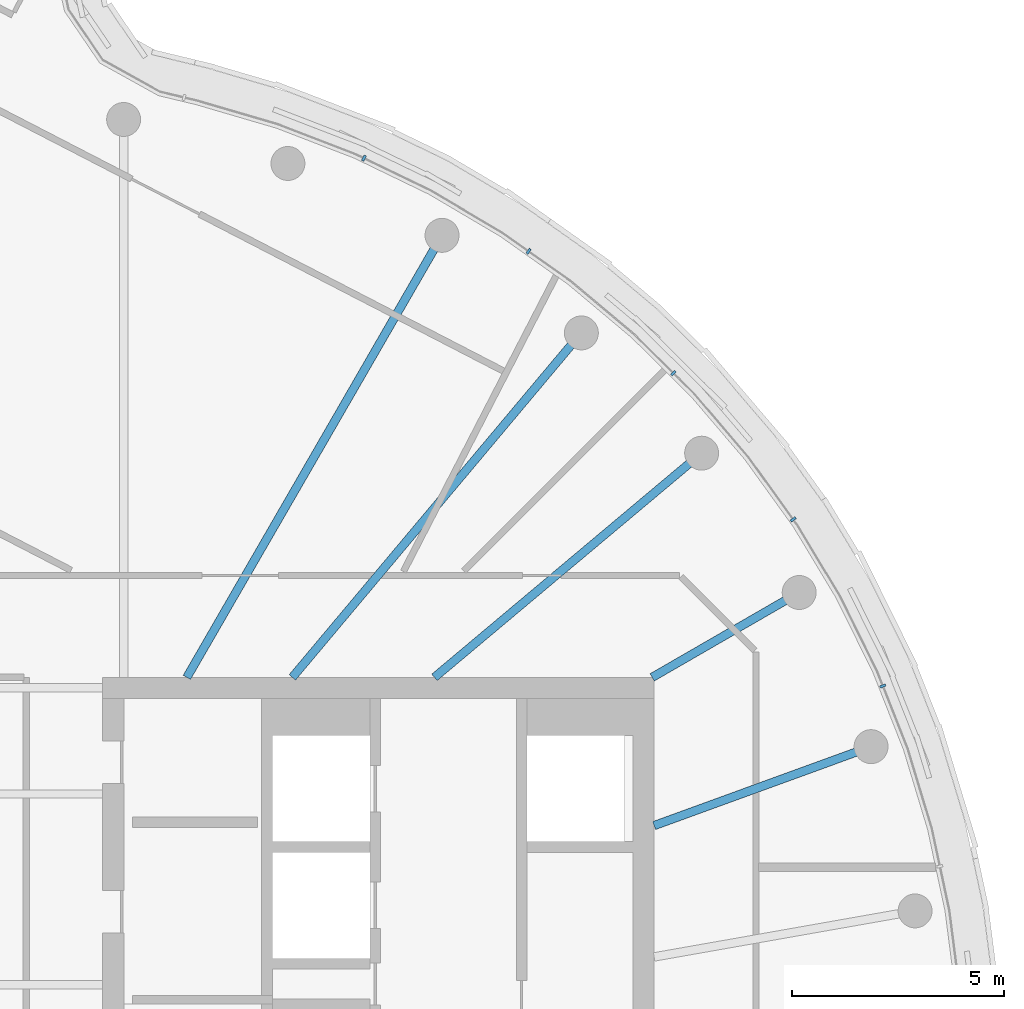
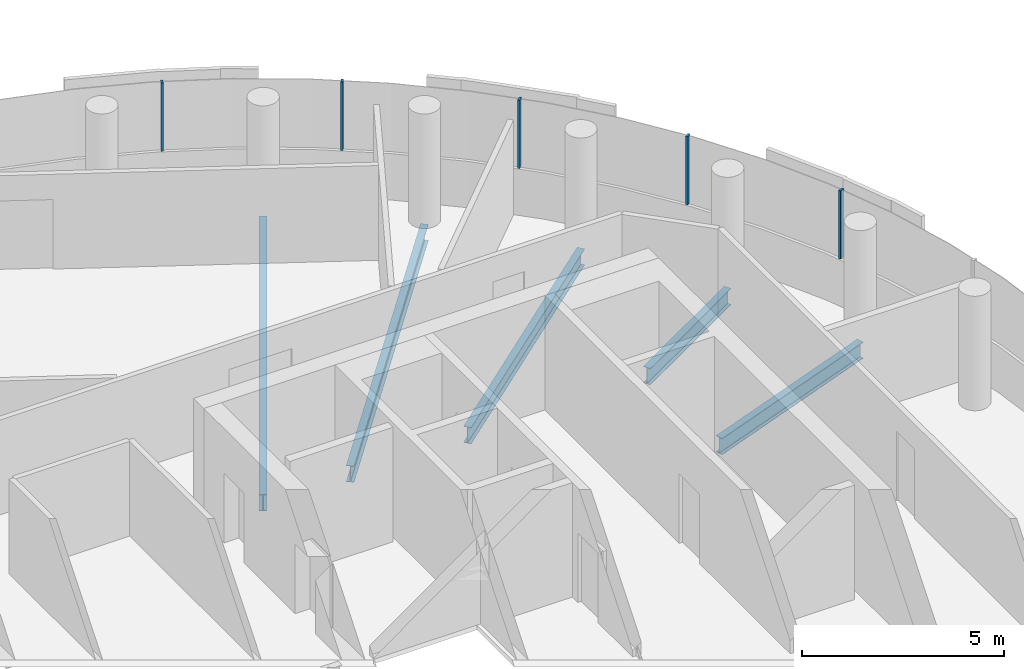
# One storey, part 11 of 21: 5 beams, 5 members, 1 element without a shape of its own.
"""IFC4 building model written with IfcOpenShell, lengths in metres."""

from ifc_helpers import new_model, si_unit, direction, frame, origin, origin_2d, place, context, subcontext, project, spatial, rectangle, i_section, extrude, material, layer, layer_set, material_profile, profile_set, type_object, element, aggregate, save


model = new_model("IFC4")

# Units and contexts
model_context = context("Model", 3, precision=1e-05, world=origin(), true_north=direction((0.0, 1.0)))
body_context = subcontext(model_context, "Body", "Model", "MODEL_VIEW")
ifc_project = project(units=[si_unit("LENGTHUNIT", "METRE"), si_unit("AREAUNIT", "SQUARE_METRE"), si_unit("VOLUMEUNIT", "CUBIC_METRE"), si_unit("PLANEANGLEUNIT", "RADIAN"), si_unit("MASSUNIT", "GRAM", prefix="KILO")], contexts=[model_context])

# Site, building, storey
site_placement = place(None, origin())
site = spatial("IfcSite", under=ifc_project, at=site_placement, CompositionType="ELEMENT")
building_placement = place(site_placement, origin())
building = spatial("IfcBuilding", under=site, at=building_placement, Name="Tamarind Cross Interchange Tower", CompositionType="ELEMENT")
storey_placement = place(building_placement, frame((0.0, 0.0, 260.39990234375)))
storey = spatial("IfcBuildingStorey", under=building, at=storey_placement, Name="L66", CompositionType="ELEMENT", Elevation=260.39990234375)

# Beams
ifc_material_1 = material(Name="Steel Q355B", Category="steel")
ifc_material_profile_1 = material_profile(ifc_material_1, i_section(OverallWidth=0.198974609375, OverallDepth=0.49609375, WebThickness=0.009033203125, FlangeThickness=0.013916015625, FilletRadius=0.012939453125, at=origin_2d()), Name="HN 496x199x9x14")
ifc_profile_set_1 = profile_set([ifc_material_profile_1], Name="Steel Q355B")
beam_type = type_object("IfcBeamType", Name="Composite beam HN 496x199x9x14 Q355B", PredefinedType="BEAM", material=ifc_profile_set_1)
beam_1_placement = place(storey_placement, frame((21.613037109375, 7.866455078125, -0.387939453125), z_axis=(-0.939701685589, -0.341995236956, 0.0), x_axis=(0.341995236956, -0.939701685589, 0.0)))
element("IfcBeam", 1, at=beam_1_placement, inside=storey, type_object=beam_type, Name="Beam HH02", PredefinedType="BEAM", context=body_context, shape_type="SweptSolid", body=[
    extrude(i_section(OverallWidth=0.198974609375, OverallDepth=0.49609375, WebThickness=0.009033203125, FlangeThickness=0.013916015625, FilletRadius=0.012939453125, at=origin_2d()), origin(), (0.0, 0.0, 1.0), 5.441162109375),
])
beam_2_placement = place(storey_placement, frame((19.918701171875, 11.5, -0.387939453125), z_axis=(-0.866026010844, -0.49999894854, 0.0), x_axis=(0.49999894854, -0.866026010844, 0.0)))
element("IfcBeam", 2, at=beam_2_placement, inside=storey, type_object=beam_type, Name="Beam HH03", PredefinedType="BEAM", context=body_context, shape_type="SweptSolid", body=[
    extrude(i_section(OverallWidth=0.198974609375, OverallDepth=0.49609375, WebThickness=0.009033203125, FlangeThickness=0.013916015625, FilletRadius=0.012939453125, at=origin_2d()), origin(), (0.0, 0.0, 1.0), 4.0),
])
beam_3_placement = place(storey_placement, frame((17.619140625, 14.7841796875, -0.387939453125), z_axis=(-0.766040580814, -0.642792212574, 0.0), x_axis=(0.642792212574, -0.766040580814, 0.0)))
element("IfcBeam", 3, at=beam_3_placement, inside=storey, type_object=beam_type, Name="Beam HH04", PredefinedType="BEAM", context=body_context, shape_type="SweptSolid", body=[
    extrude(i_section(OverallWidth=0.198974609375, OverallDepth=0.49609375, WebThickness=0.009033203125, FlangeThickness=0.013916015625, FilletRadius=0.012939453125, at=origin_2d()), origin(), (0.0, 0.0, 1.0), 8.220703125),
])
beam_4_placement = place(storey_placement, frame((14.7841796875, 17.619140625, -0.387939453125), z_axis=(-0.642786293979, -0.766045547127, 0.0), x_axis=(0.766045547127, -0.642786293979, 0.0)))
element("IfcBeam", 4, at=beam_4_placement, inside=storey, type_object=beam_type, Name="Beam HH05", PredefinedType="BEAM", context=body_context, shape_type="SweptSolid", body=[
    extrude(i_section(OverallWidth=0.198974609375, OverallDepth=0.49609375, WebThickness=0.009033203125, FlangeThickness=0.013916015625, FilletRadius=0.012939453125, at=origin_2d()), origin(), (0.0, 0.0, 1.0), 10.598876953125),
])
beam_5_placement = place(storey_placement, frame((11.5, 19.918701171875, -0.387939453125), z_axis=(-0.499993565836, -0.866029118519, 0.0), x_axis=(0.866029118519, -0.499993565836, 0.0)))
element("IfcBeam", 5, at=beam_5_placement, inside=storey, type_object=beam_type, Name="Beam HH06", PredefinedType="BEAM", context=body_context, shape_type="SweptSolid", body=[
    extrude(i_section(OverallWidth=0.198974609375, OverallDepth=0.49609375, WebThickness=0.009033203125, FlangeThickness=0.013916015625, FilletRadius=0.012939453125, at=origin_2d()), origin(), (0.0, 0.0, 1.0), 12.030517578125),
])

# Curtain wall, members
ifc_material_2 = material(Name="Aluminium 6063-T6", Category="aluminium")
ifc_layer = layer(ifc_material_2, 0.139892578125)
ifc_layer_set = layer_set([ifc_layer], Name="Aluminium 6063-T6")
curtain_wall_type = type_object("IfcCurtainWallType", Name="Hotel curtain wall, 4.5 m bays", PredefinedType="NOTDEFINED", material=ifc_layer_set)
curtain_wall_placement = place(storey_placement, origin())
curtain_wall = element("IfcCurtainWall", 6, at=curtain_wall_placement, inside=storey, type_object=curtain_wall_type, Name="CWS-L66-01", PredefinedType="NOTDEFINED")
ifc_material_profile_2 = material_profile(ifc_material_2, rectangle(XDim=0.06005859375, YDim=0.139892578125, at=origin_2d()), Name="Mullion CW2")
ifc_profile_set_2 = profile_set([ifc_material_profile_2], Name="Aluminium 6063-T6")
member_type = type_object("IfcMemberType", Name="Mullion CW2", PredefinedType="MULLION", material=ifc_profile_set_2)
member_1_placement = place(storey_placement, frame((21.890869140625, 9.296142578125, 1.400146484375), z_axis=(0.0, 0.0, 1.0), x_axis=(-0.367513773146, 0.930018078613, 0.0)))
member_1 = element("IfcMember", 7, at=member_1_placement, type_object=member_type, Name="CWM-L66-01-25", PredefinedType="MULLION", context=body_context, shape_type="SweptSolid", body=[
    extrude(rectangle(XDim=0.06005859375, YDim=0.139892578125, at=origin_2d()), origin(), (0.0, 0.0, 1.0), 2.06005859375),
])
member_2_placement = place(storey_placement, frame((19.777099609375, 13.22265625, 1.400146484375), z_axis=(0.0, 0.0, 1.0), x_axis=(-0.584573890505, 0.811340475102, 0.0)))
member_2 = element("IfcMember", 8, at=member_2_placement, type_object=member_type, Name="CWM-L66-01-26", PredefinedType="MULLION", context=body_context, shape_type="SweptSolid", body=[
    extrude(rectangle(XDim=0.06005859375, YDim=0.139892578125, at=origin_2d()), origin(), (0.0, 0.0, 1.0), 2.06005859375),
])
member_3_placement = place(storey_placement, frame((16.951904296875, 16.673095703125, 1.400146484375), z_axis=(0.0, 0.0, 1.0), x_axis=(-0.710143317658, 0.704057148523, 0.0)))
member_3 = element("IfcMember", 9, at=member_3_placement, type_object=member_type, Name="CWM-L66-01-27", PredefinedType="MULLION", context=body_context, shape_type="SweptSolid", body=[
    extrude(rectangle(XDim=0.06005859375, YDim=0.139892578125, at=origin_2d()), origin(), (0.0, 0.0, 1.0), 2.06005859375),
])
member_4_placement = place(storey_placement, frame((13.540771484375, 19.544189453125, 1.400146484375), z_axis=(0.0, 0.0, 1.0), x_axis=(-0.816341886298, 0.577568978284, 0.0)))
member_4 = element("IfcMember", 10, at=member_4_placement, type_object=member_type, Name="CWM-L66-01-28", PredefinedType="MULLION", context=body_context, shape_type="SweptSolid", body=[
    extrude(rectangle(XDim=0.06005859375, YDim=0.139892578125, at=origin_2d()), origin(), (0.0, 0.0, 1.0), 2.06005859375),
])
member_5_placement = place(storey_placement, frame((9.65869140625, 21.73876953125, 1.400146484375), z_axis=(0.0, 0.0, 1.0), x_axis=(-0.900272776334, 0.435326231914, 0.0)))
member_5 = element("IfcMember", 11, at=member_5_placement, type_object=member_type, Name="CWM-L66-01-29", PredefinedType="MULLION", context=body_context, shape_type="SweptSolid", body=[
    extrude(rectangle(XDim=0.06005859375, YDim=0.139892578125, at=origin_2d()), origin(), (0.0, 0.0, 1.0), 2.06005859375),
])
aggregate(curtain_wall, [member_1, member_2, member_3, member_4, member_5])

save(model, "model.ifc")
